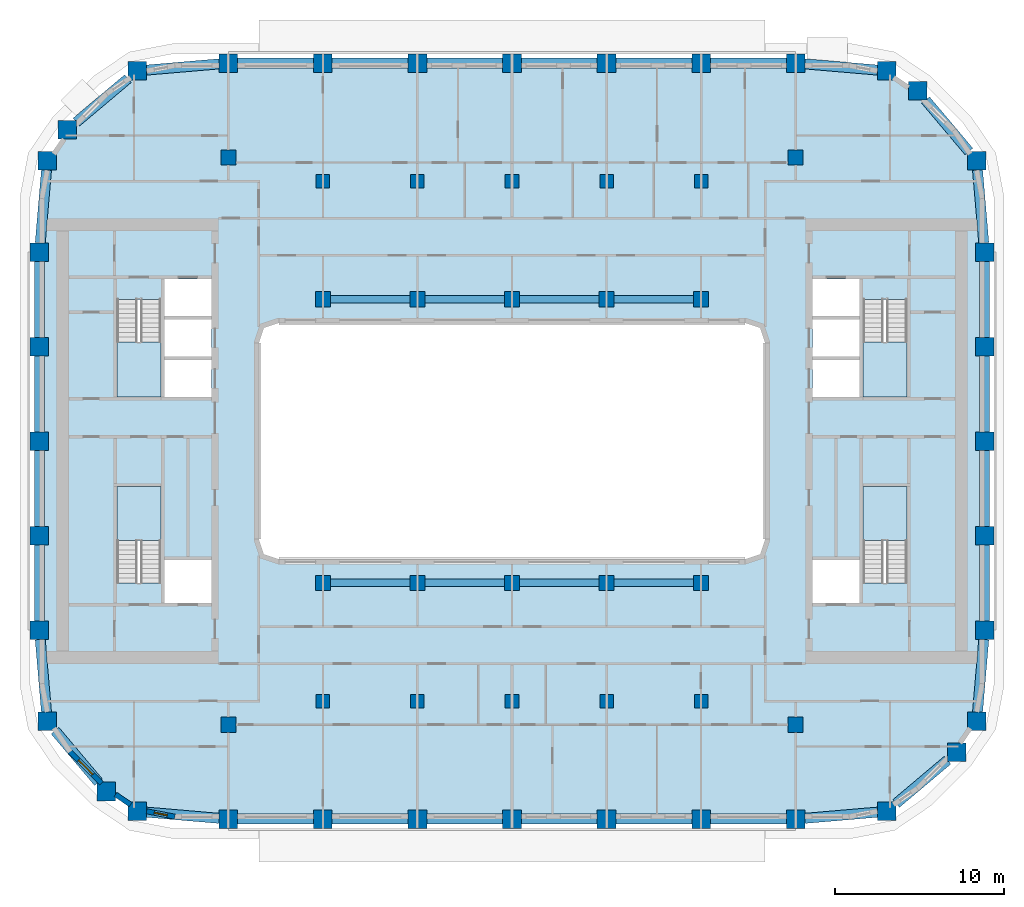
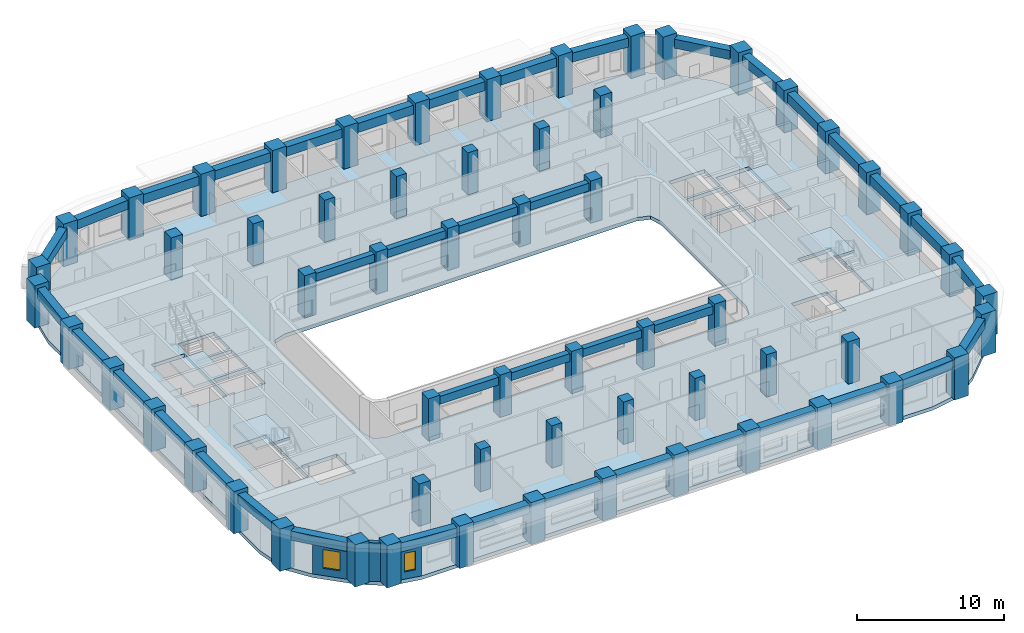
# One storey, part 1 of 22: 60 columns, 40 beams, 5 slabs, 3 walls, 2 windows, 2 openings, 4 elements without a shape of their own.
"""IFC4 building model written with IfcOpenShell, lengths in metres."""

from ifc_helpers import new_model, si_unit, direction, frame, frame_2d, origin, origin_2d, place, context, subcontext, project, spatial, polyline, rectangle, outline, extrude, material, layer, layer_set, material_profile, profile_set, type_object, element, fill, aggregate, save


model = new_model("IFC4")

# Units and contexts
model_context = context("Model", 3, precision=1e-05, world=origin(), true_north=direction((0.0, 1.0)))
body_context = subcontext(model_context, "Body", "Model", "MODEL_VIEW")
ifc_project = project(units=[si_unit("LENGTHUNIT", "METRE"), si_unit("AREAUNIT", "SQUARE_METRE"), si_unit("VOLUMEUNIT", "CUBIC_METRE"), si_unit("PLANEANGLEUNIT", "RADIAN"), si_unit("MASSUNIT", "GRAM", prefix="KILO")], contexts=[model_context])

# Site, building, storey
site_placement = place(None, origin())
site = spatial("IfcSite", under=ifc_project, at=site_placement, CompositionType="ELEMENT")
building_placement = place(site_placement, origin())
building = spatial("IfcBuilding", under=site, at=building_placement, Name="Kiln Ring Residences", CompositionType="ELEMENT")
storey_placement = place(building_placement, frame((0.0, 0.0, 143.10009765625)))
storey = spatial("IfcBuildingStorey", under=building, at=storey_placement, Name="L36", CompositionType="ELEMENT", Elevation=143.10009765625)

# Columns
ifc_material_1 = material(Name="Concrete C70/85", Category="concrete")
ifc_material_profile_1 = material_profile(ifc_material_1, rectangle(XDim=0.800048828125, YDim=0.800048828125, at=origin_2d()), Name="RC800x800")
ifc_profile_set_1 = profile_set([ifc_material_profile_1], Name="Concrete C70/85")
column_type_1 = type_object("IfcColumnType", Name="Corridor column RC800x800 C70/85", PredefinedType="COLUMN", material=ifc_profile_set_1)
for number, where, z_axis, x_axis, name in (
    (1, (-11.199951171875, 15.39990234375, 0.0), (0.0, 0.0, 1.0), (1.0, 0.0, 0.0), "Corridor column L36 1"),
    (2, (-5.60009765625, 15.39990234375, 0.0), (0.0, 0.0, 1.0), (1.0, 0.0, 0.0), "Corridor column L36 2"),
    (3, (0.0, 15.39990234375, 0.0), (0.0, 0.0, 1.0), (1.0, 0.0, 0.0), "Corridor column L36 3"),
    (4, (5.60009765625, 15.39990234375, 0.0), (0.0, 0.0, 1.0), (1.0, 0.0, 0.0), "Corridor column L36 4"),
    (5, (11.199951171875, 15.39990234375, 0.0), (0.0, 0.0, 1.0), (1.0, 0.0, 0.0), "Corridor column L36 5"),
    (6, (-11.199951171875, -15.39990234375, 0.0), (0.0, 0.0, 1.0), (1.0, 0.0, 0.0), "Corridor column L36 6"),
    (7, (-5.60009765625, -15.39990234375, 0.0), (0.0, 0.0, 1.0), (1.0, 0.0, 0.0), "Corridor column L36 7"),
    (8, (0.0, -15.39990234375, 0.0), (0.0, 0.0, 1.0), (1.0, 0.0, 0.0), "Corridor column L36 8"),
    (9, (5.60009765625, -15.39990234375, 0.0), (0.0, 0.0, 1.0), (1.0, 0.0, 0.0), "Corridor column L36 9"),
    (10, (11.199951171875, -15.39990234375, 0.0), (0.0, 0.0, 1.0), (1.0, 0.0, 0.0), "Corridor column L36 10"),
):
    element("IfcColumn", number, at=place(storey_placement, frame(where, z_axis=z_axis, x_axis=x_axis)), inside=storey, type_object=column_type_1, Name=name, PredefinedType="COLUMN", context=body_context, shape_type="SweptSolid", body=[
        extrude(rectangle(XDim=0.800048828125, YDim=0.800048828125, at=origin_2d()), origin(), (0.0, 0.0, 1.0), 3.5),
    ])
ifc_material_2 = material(Name="Concrete C70/85", Category="concrete")
ifc_material_profile_2 = material_profile(ifc_material_2, rectangle(XDim=1.10009765625, YDim=1.10009765625, at=origin_2d()), Name="RC1100x1100")
ifc_profile_set_2 = profile_set([ifc_material_profile_2], Name="Concrete C70/85")
column_type_2 = type_object("IfcColumnType", Name="Perimeter column RC1100x1100 C70/85", PredefinedType="COLUMN", material=ifc_profile_set_2)
for number, where, z_axis, x_axis, name in (
    (11, (-22.208740234375, -21.93798828125, 0.0), (0.0, 0.0, 1.0), (1.0, 0.0, 0.0), "Perimeter column L36 1"),
    (12, (-16.800048828125, -22.39990234375, 0.0), (0.0, 0.0, 1.0), (1.0, 0.0, 0.0), "Perimeter column L36 2"),
    (13, (-11.199951171875, -22.39990234375, 0.0), (0.0, 0.0, 1.0), (1.0, 0.0, 0.0), "Perimeter column L36 3"),
    (14, (-5.60009765625, -22.39990234375, 0.0), (0.0, 0.0, 1.0), (1.0, 0.0, 0.0), "Perimeter column L36 4"),
    (15, (0.0, -22.39990234375, 0.0), (0.0, 0.0, 1.0), (1.0, 0.0, 0.0), "Perimeter column L36 5"),
    (16, (5.60009765625, -22.39990234375, 0.0), (0.0, 0.0, 1.0), (1.0, 0.0, 0.0), "Perimeter column L36 6"),
    (17, (11.199951171875, -22.39990234375, 0.0), (0.0, 0.0, 1.0), (1.0, 0.0, 0.0), "Perimeter column L36 7"),
    (18, (16.800048828125, -22.39990234375, 0.0), (0.0, 0.0, 1.0), (1.0, 0.0, 0.0), "Perimeter column L36 8"),
    (19, (22.208740234375, -21.93798828125, 0.0), (0.0, 0.0, 1.0), (1.0, 0.0, 0.0), "Perimeter column L36 9"),
    (20, (26.35986328125, -18.440185546875, 0.0), (0.0, 0.0, 1.0), (1.0, 0.0, 0.0), "Perimeter column L36 10"),
    (21, (27.5380859375, -16.608642578125, 0.0), (0.0, 0.0, 1.0), (1.0, 0.0, 0.0), "Perimeter column L36 11"),
    (22, (28.0, -11.199951171875, 0.0), (0.0, 0.0, 1.0), (1.0, 0.0, 0.0), "Perimeter column L36 12"),
    (23, (28.0, -5.60009765625, 0.0), (0.0, 0.0, 1.0), (1.0, 0.0, 0.0), "Perimeter column L36 13"),
    (24, (28.0, 0.0, 0.0), (0.0, 0.0, 1.0), (1.0, 0.0, 0.0), "Perimeter column L36 14"),
    (25, (28.0, 5.60009765625, 0.0), (0.0, 0.0, 1.0), (1.0, 0.0, 0.0), "Perimeter column L36 15"),
    (26, (28.0, 11.199951171875, 0.0), (0.0, 0.0, 1.0), (1.0, 0.0, 0.0), "Perimeter column L36 16"),
    (27, (27.5380859375, 16.608642578125, 0.0), (0.0, 0.0, 1.0), (1.0, 0.0, 0.0), "Perimeter column L36 17"),
    (28, (24.040283203125, 20.759765625, 0.0), (0.0, 0.0, 1.0), (1.0, 0.0, 0.0), "Perimeter column L36 18"),
    (29, (22.208740234375, 21.93798828125, 0.0), (0.0, 0.0, 1.0), (1.0, 0.0, 0.0), "Perimeter column L36 19"),
    (30, (16.800048828125, 22.39990234375, 0.0), (0.0, 0.0, 1.0), (1.0, 0.0, 0.0), "Perimeter column L36 20"),
    (31, (11.199951171875, 22.39990234375, 0.0), (0.0, 0.0, 1.0), (1.0, 0.0, 0.0), "Perimeter column L36 21"),
    (32, (5.60009765625, 22.39990234375, 0.0), (0.0, 0.0, 1.0), (1.0, 0.0, 0.0), "Perimeter column L36 22"),
    (33, (0.0, 22.39990234375, 0.0), (0.0, 0.0, 1.0), (1.0, 0.0, 0.0), "Perimeter column L36 23"),
    (34, (-5.60009765625, 22.39990234375, 0.0), (0.0, 0.0, 1.0), (1.0, 0.0, 0.0), "Perimeter column L36 24"),
    (35, (-11.199951171875, 22.39990234375, 0.0), (0.0, 0.0, 1.0), (1.0, 0.0, 0.0), "Perimeter column L36 25"),
    (36, (-16.800048828125, 22.39990234375, 0.0), (0.0, 0.0, 1.0), (1.0, 0.0, 0.0), "Perimeter column L36 26"),
    (37, (-22.208740234375, 21.93798828125, 0.0), (0.0, 0.0, 1.0), (1.0, 0.0, 0.0), "Perimeter column L36 27"),
    (38, (-26.35986328125, 18.440185546875, 0.0), (0.0, 0.0, 1.0), (1.0, 0.0, 0.0), "Perimeter column L36 28"),
    (39, (-27.5380859375, 16.608642578125, 0.0), (0.0, 0.0, 1.0), (1.0, 0.0, 0.0), "Perimeter column L36 29"),
    (40, (-28.0, 11.199951171875, 0.0), (0.0, 0.0, 1.0), (1.0, 0.0, 0.0), "Perimeter column L36 30"),
    (41, (-28.0, 5.60009765625, 0.0), (0.0, 0.0, 1.0), (1.0, 0.0, 0.0), "Perimeter column L36 31"),
    (42, (-28.0, 0.0, 0.0), (0.0, 0.0, 1.0), (1.0, 0.0, 0.0), "Perimeter column L36 32"),
    (43, (-28.0, -5.60009765625, 0.0), (0.0, 0.0, 1.0), (1.0, 0.0, 0.0), "Perimeter column L36 33"),
    (44, (-28.0, -11.199951171875, 0.0), (0.0, 0.0, 1.0), (1.0, 0.0, 0.0), "Perimeter column L36 34"),
    (45, (-27.5380859375, -16.608642578125, 0.0), (0.0, 0.0, 1.0), (1.0, 0.0, 0.0), "Perimeter column L36 35"),
    (46, (-24.040283203125, -20.759765625, 0.0), (0.0, 0.0, 1.0), (1.0, 0.0, 0.0), "Perimeter column L36 36"),
):
    element("IfcColumn", number, at=place(storey_placement, frame(where, z_axis=z_axis, x_axis=x_axis)), inside=storey, type_object=column_type_2, Name=name, PredefinedType="COLUMN", context=body_context, shape_type="SweptSolid", body=[
        extrude(rectangle(XDim=1.10009765625, YDim=1.10009765625, at=origin_2d()), origin(), (0.0, 0.0, 1.0), 3.5),
    ])
ifc_material_3 = material(Name="Concrete C70/85", Category="concrete")
ifc_material_profile_3 = material_profile(ifc_material_3, rectangle(XDim=0.89990234375, YDim=0.89990234375, at=origin_2d()), Name="RC900x900")
ifc_profile_set_3 = profile_set([ifc_material_profile_3], Name="Concrete C70/85")
column_type_3 = type_object("IfcColumnType", Name="Ring column RC900x900 C70/85", PredefinedType="COLUMN", material=ifc_profile_set_3)
for number, where, z_axis, x_axis, name in (
    (47, (-16.800048828125, -16.800048828125, 0.0), (0.0, 0.0, 1.0), (1.0, 0.0, 0.0), "Ring column L36 1"),
    (48, (-16.800048828125, 16.800048828125, 0.0), (0.0, 0.0, 1.0), (1.0, 0.0, 0.0), "Ring column L36 2"),
    (49, (-11.199951171875, -8.39990234375, 0.0), (0.0, 0.0, 1.0), (1.0, 0.0, 0.0), "Ring column L36 3"),
    (50, (-11.199951171875, 8.39990234375, 0.0), (0.0, 0.0, 1.0), (1.0, 0.0, 0.0), "Ring column L36 4"),
    (51, (-5.60009765625, -8.39990234375, 0.0), (0.0, 0.0, 1.0), (1.0, 0.0, 0.0), "Ring column L36 5"),
    (52, (-5.60009765625, 8.39990234375, 0.0), (0.0, 0.0, 1.0), (1.0, 0.0, 0.0), "Ring column L36 6"),
    (53, (0.0, -8.39990234375, 0.0), (0.0, 0.0, 1.0), (1.0, 0.0, 0.0), "Ring column L36 7"),
    (54, (0.0, 8.39990234375, 0.0), (0.0, 0.0, 1.0), (1.0, 0.0, 0.0), "Ring column L36 8"),
    (55, (5.60009765625, -8.39990234375, 0.0), (0.0, 0.0, 1.0), (1.0, 0.0, 0.0), "Ring column L36 9"),
    (56, (5.60009765625, 8.39990234375, 0.0), (0.0, 0.0, 1.0), (1.0, 0.0, 0.0), "Ring column L36 10"),
    (57, (11.199951171875, -8.39990234375, 0.0), (0.0, 0.0, 1.0), (1.0, 0.0, 0.0), "Ring column L36 11"),
    (58, (11.199951171875, 8.39990234375, 0.0), (0.0, 0.0, 1.0), (1.0, 0.0, 0.0), "Ring column L36 12"),
    (59, (16.800048828125, -16.800048828125, 0.0), (0.0, 0.0, 1.0), (1.0, 0.0, 0.0), "Ring column L36 13"),
    (60, (16.800048828125, 16.800048828125, 0.0), (0.0, 0.0, 1.0), (1.0, 0.0, 0.0), "Ring column L36 14"),
):
    element("IfcColumn", number, at=place(storey_placement, frame(where, z_axis=z_axis, x_axis=x_axis)), inside=storey, type_object=column_type_3, Name=name, PredefinedType="COLUMN", context=body_context, shape_type="SweptSolid", body=[
        extrude(rectangle(XDim=0.89990234375, YDim=0.89990234375, at=origin_2d()), origin(), (0.0, 0.0, 1.0), 3.5),
    ])

# Beams
ifc_material_4 = material(Name="Concrete C50/60", Category="concrete")
ifc_material_profile_4 = material_profile(ifc_material_4, rectangle(XDim=0.449951171875, YDim=0.64990234375, at=origin_2d()), Name="RC450x650")
ifc_profile_set_4 = profile_set([ifc_material_profile_4], Name="Concrete C50/60")
beam_type_1 = type_object("IfcBeamType", Name="Ring beam RC450x650 C50/60", PredefinedType="BEAM", material=ifc_profile_set_4)
for number, where, z_axis, x_axis, name in (
    (61, (-10.75, -8.39990234375, 2.875), (1.0, 0.0, 0.0), (0.0, 1.0, 0.0), "Ring beam L36 1"),
    (62, (-5.14990234375, -8.39990234375, 2.875), (1.0, 0.0, 0.0), (0.0, 1.0, 0.0), "Ring beam L36 2"),
    (63, (0.449951171875, -8.39990234375, 2.875), (1.0, 0.0, 0.0), (0.0, 1.0, 0.0), "Ring beam L36 3"),
    (64, (6.050048828125, -8.39990234375, 2.875), (1.0, 0.0, 0.0), (0.0, 1.0, 0.0), "Ring beam L36 4"),
    (65, (-10.75, 8.39990234375, 2.875), (1.0, 0.0, 0.0), (0.0, 1.0, 0.0), "Ring beam L36 5"),
    (66, (-5.14990234375, 8.39990234375, 2.875), (1.0, 0.0, 0.0), (0.0, 1.0, 0.0), "Ring beam L36 6"),
    (67, (0.449951171875, 8.39990234375, 2.875), (1.0, 0.0, 0.0), (0.0, 1.0, 0.0), "Ring beam L36 7"),
    (68, (6.050048828125, 8.39990234375, 2.875), (1.0, 0.0, 0.0), (0.0, 1.0, 0.0), "Ring beam L36 8"),
):
    element("IfcBeam", number, at=place(storey_placement, frame(where, z_axis=z_axis, x_axis=x_axis)), inside=storey, type_object=beam_type_1, Name=name, PredefinedType="BEAM", context=body_context, shape_type="SweptSolid", body=[
        extrude(rectangle(XDim=0.449951171875, YDim=0.64990234375, at=origin_2d()), origin(), (0.0, 0.0, 1.0), 4.699951171875),
    ])
ifc_material_5 = material(Name="Concrete C50/60", Category="concrete")
ifc_material_profile_5 = material_profile(ifc_material_5, rectangle(XDim=0.60009765625, YDim=0.75, at=origin_2d()), Name="RC600x750")
ifc_profile_set_5 = profile_set([ifc_material_profile_5], Name="Concrete C50/60")
beam_type_2 = type_object("IfcBeamType", Name="Spandrel beam RC600x750 C50/60", PredefinedType="SPANDREL", material=ifc_profile_set_5)
beam_1_placement = place(storey_placement, frame((-21.65869140625, -21.985107421875, 2.824951171875), z_axis=(0.996373912127, -0.085082473117, 0.0), x_axis=(0.085082473117, 0.996373912127, 0.0)))
element("IfcBeam", 69, at=beam_1_placement, inside=storey, type_object=beam_type_2, Name="Spandrel beam L36 1", PredefinedType="SPANDREL", context=body_context, shape_type="SweptSolid", body=[
    extrude(rectangle(XDim=0.60009765625, YDim=0.75, at=origin_2d()), origin(), (0.0, 0.0, 1.0), 4.32421875),
])
for number, where, z_axis, x_axis, name in (
    (70, (-16.25, -22.39990234375, 2.824951171875), (1.0, 0.0, 0.0), (0.0, 1.0, 0.0), "Spandrel beam L36 2"),
    (71, (-10.64990234375, -22.39990234375, 2.824951171875), (1.0, 0.0, 0.0), (0.0, 1.0, 0.0), "Spandrel beam L36 3"),
    (72, (-5.050048828125, -22.39990234375, 2.824951171875), (1.0, 0.0, 0.0), (0.0, 1.0, 0.0), "Spandrel beam L36 4"),
    (73, (0.550048828125, -22.39990234375, 2.824951171875), (1.0, 0.0, 0.0), (0.0, 1.0, 0.0), "Spandrel beam L36 5"),
    (74, (6.14990234375, -22.39990234375, 2.824951171875), (1.0, 0.0, 0.0), (0.0, 1.0, 0.0), "Spandrel beam L36 6"),
    (75, (11.75, -22.39990234375, 2.824951171875), (1.0, 0.0, 0.0), (0.0, 1.0, 0.0), "Spandrel beam L36 7"),
):
    element("IfcBeam", number, at=place(storey_placement, frame(where, z_axis=z_axis, x_axis=x_axis)), inside=storey, type_object=beam_type_2, Name=name, PredefinedType="SPANDREL", context=body_context, shape_type="SweptSolid", body=[
        extrude(rectangle(XDim=0.60009765625, YDim=0.75, at=origin_2d()), origin(), (0.0, 0.0, 1.0), 4.5),
    ])
beam_2_placement = place(storey_placement, frame((17.35009765625, -22.35302734375, 2.824951171875), z_axis=(0.996373912127, 0.085082473117, 0.0), x_axis=(-0.085082473117, 0.996373912127, 0.0)))
element("IfcBeam", 76, at=beam_2_placement, inside=storey, type_object=beam_type_2, Name="Spandrel beam L36 8", PredefinedType="SPANDREL", context=body_context, shape_type="SweptSolid", body=[
    extrude(rectangle(XDim=0.60009765625, YDim=0.75, at=origin_2d()), origin(), (0.0, 0.0, 1.0), 4.32421875),
])
beam_3_placement = place(storey_placement, frame((22.7587890625, -21.474609375, 2.824951171875), z_axis=(0.764693765756, 0.6443938583, 0.0), x_axis=(-0.6443938583, 0.764693765756, 0.0)))
element("IfcBeam", 77, at=beam_3_placement, inside=storey, type_object=beam_type_2, Name="Spandrel beam L36 9", PredefinedType="SPANDREL", context=body_context, shape_type="SweptSolid", body=[
    extrude(rectangle(XDim=0.60009765625, YDim=0.75, at=origin_2d()), origin(), (0.0, 0.0, 1.0), 3.98974609375),
])
beam_4_placement = place(storey_placement, frame((27.5849609375, -16.05859375, 2.824951171875), z_axis=(0.085138522188, 0.996369124391, 0.0), x_axis=(-0.996369124391, 0.085138522188, 0.0)))
element("IfcBeam", 78, at=beam_4_placement, inside=storey, type_object=beam_type_2, Name="Spandrel beam L36 10", PredefinedType="SPANDREL", context=body_context, shape_type="SweptSolid", body=[
    extrude(rectangle(XDim=0.60009765625, YDim=0.75, at=origin_2d()), origin(), (0.0, 0.0, 1.0), 4.32421875),
])
for number, where, z_axis, x_axis, name in (
    (79, (28.0, -10.64990234375, 2.824951171875), (0.0, 1.0, 0.0), (-1.0, 0.0, 0.0), "Spandrel beam L36 11"),
    (80, (28.0, -5.050048828125, 2.824951171875), (0.0, 1.0, 0.0), (-1.0, 0.0, 0.0), "Spandrel beam L36 12"),
    (81, (28.0, 0.550048828125, 2.824951171875), (0.0, 1.0, 0.0), (-1.0, 0.0, 0.0), "Spandrel beam L36 13"),
    (82, (28.0, 6.14990234375, 2.824951171875), (0.0, 1.0, 0.0), (-1.0, 0.0, 0.0), "Spandrel beam L36 14"),
):
    element("IfcBeam", number, at=place(storey_placement, frame(where, z_axis=z_axis, x_axis=x_axis)), inside=storey, type_object=beam_type_2, Name=name, PredefinedType="SPANDREL", context=body_context, shape_type="SweptSolid", body=[
        extrude(rectangle(XDim=0.60009765625, YDim=0.75, at=origin_2d()), origin(), (0.0, 0.0, 1.0), 4.5),
    ])
beam_5_placement = place(storey_placement, frame((27.953125, 11.75, 2.824951171875), z_axis=(-0.085138522188, 0.996369124391, 0.0), x_axis=(-0.996369124391, -0.085138522188, 0.0)))
element("IfcBeam", 83, at=beam_5_placement, inside=storey, type_object=beam_type_2, Name="Spandrel beam L36 15", PredefinedType="SPANDREL", context=body_context, shape_type="SweptSolid", body=[
    extrude(rectangle(XDim=0.60009765625, YDim=0.75, at=origin_2d()), origin(), (0.0, 0.0, 1.0), 4.32421875),
])
beam_6_placement = place(storey_placement, frame((27.07470703125, 17.15869140625, 2.824951171875), z_axis=(-0.6443938583, 0.764693765756, 0.0), x_axis=(-0.764693765756, -0.6443938583, 0.0)))
element("IfcBeam", 84, at=beam_6_placement, inside=storey, type_object=beam_type_2, Name="Spandrel beam L36 16", PredefinedType="SPANDREL", context=body_context, shape_type="SweptSolid", body=[
    extrude(rectangle(XDim=0.60009765625, YDim=0.75, at=origin_2d()), origin(), (0.0, 0.0, 1.0), 3.98974609375),
])
beam_7_placement = place(storey_placement, frame((21.65869140625, 21.985107421875, 2.824951171875), z_axis=(-0.996373912127, 0.085082473117, 0.0), x_axis=(-0.085082473117, -0.996373912127, 0.0)))
element("IfcBeam", 85, at=beam_7_placement, inside=storey, type_object=beam_type_2, Name="Spandrel beam L36 17", PredefinedType="SPANDREL", context=body_context, shape_type="SweptSolid", body=[
    extrude(rectangle(XDim=0.60009765625, YDim=0.75, at=origin_2d()), origin(), (0.0, 0.0, 1.0), 4.32421875),
])
for number, where, z_axis, x_axis, name in (
    (86, (16.25, 22.39990234375, 2.824951171875), (-1.0, 0.0, 0.0), (0.0, -1.0, 0.0), "Spandrel beam L36 18"),
    (87, (10.64990234375, 22.39990234375, 2.824951171875), (-1.0, 0.0, 0.0), (0.0, -1.0, 0.0), "Spandrel beam L36 19"),
    (88, (5.050048828125, 22.39990234375, 2.824951171875), (-1.0, 0.0, 0.0), (0.0, -1.0, 0.0), "Spandrel beam L36 20"),
    (89, (-0.550048828125, 22.39990234375, 2.824951171875), (-1.0, 0.0, 0.0), (0.0, -1.0, 0.0), "Spandrel beam L36 21"),
    (90, (-6.14990234375, 22.39990234375, 2.824951171875), (-1.0, 0.0, 0.0), (0.0, -1.0, 0.0), "Spandrel beam L36 22"),
    (91, (-11.75, 22.39990234375, 2.824951171875), (-1.0, 0.0, 0.0), (0.0, -1.0, 0.0), "Spandrel beam L36 23"),
):
    element("IfcBeam", number, at=place(storey_placement, frame(where, z_axis=z_axis, x_axis=x_axis)), inside=storey, type_object=beam_type_2, Name=name, PredefinedType="SPANDREL", context=body_context, shape_type="SweptSolid", body=[
        extrude(rectangle(XDim=0.60009765625, YDim=0.75, at=origin_2d()), origin(), (0.0, 0.0, 1.0), 4.5),
    ])
beam_8_placement = place(storey_placement, frame((-17.35009765625, 22.35302734375, 2.824951171875), z_axis=(-0.996373912127, -0.085082473117, 0.0), x_axis=(0.085082473117, -0.996373912127, 0.0)))
element("IfcBeam", 92, at=beam_8_placement, inside=storey, type_object=beam_type_2, Name="Spandrel beam L36 24", PredefinedType="SPANDREL", context=body_context, shape_type="SweptSolid", body=[
    extrude(rectangle(XDim=0.60009765625, YDim=0.75, at=origin_2d()), origin(), (0.0, 0.0, 1.0), 4.32421875),
])
beam_9_placement = place(storey_placement, frame((-22.7587890625, 21.474609375, 2.824951171875), z_axis=(-0.764693765756, -0.6443938583, 0.0), x_axis=(0.6443938583, -0.764693765756, 0.0)))
element("IfcBeam", 93, at=beam_9_placement, inside=storey, type_object=beam_type_2, Name="Spandrel beam L36 25", PredefinedType="SPANDREL", context=body_context, shape_type="SweptSolid", body=[
    extrude(rectangle(XDim=0.60009765625, YDim=0.75, at=origin_2d()), origin(), (0.0, 0.0, 1.0), 3.98974609375),
])
beam_10_placement = place(storey_placement, frame((-27.5849609375, 16.05859375, 2.824951171875), z_axis=(-0.085138522188, -0.996369124391, 0.0), x_axis=(0.996369124391, -0.085138522188, 0.0)))
element("IfcBeam", 94, at=beam_10_placement, inside=storey, type_object=beam_type_2, Name="Spandrel beam L36 26", PredefinedType="SPANDREL", context=body_context, shape_type="SweptSolid", body=[
    extrude(rectangle(XDim=0.60009765625, YDim=0.75, at=origin_2d()), origin(), (0.0, 0.0, 1.0), 4.32421875),
])
for number, where, z_axis, x_axis, name in (
    (95, (-28.0, 10.64990234375, 2.824951171875), (0.0, -1.0, 0.0), (1.0, 0.0, 0.0), "Spandrel beam L36 27"),
    (96, (-28.0, 5.050048828125, 2.824951171875), (0.0, -1.0, 0.0), (1.0, 0.0, 0.0), "Spandrel beam L36 28"),
    (97, (-28.0, -0.550048828125, 2.824951171875), (0.0, -1.0, 0.0), (1.0, 0.0, 0.0), "Spandrel beam L36 29"),
    (98, (-28.0, -6.14990234375, 2.824951171875), (0.0, -1.0, 0.0), (1.0, 0.0, 0.0), "Spandrel beam L36 30"),
):
    element("IfcBeam", number, at=place(storey_placement, frame(where, z_axis=z_axis, x_axis=x_axis)), inside=storey, type_object=beam_type_2, Name=name, PredefinedType="SPANDREL", context=body_context, shape_type="SweptSolid", body=[
        extrude(rectangle(XDim=0.60009765625, YDim=0.75, at=origin_2d()), origin(), (0.0, 0.0, 1.0), 4.5),
    ])
beam_11_placement = place(storey_placement, frame((-27.953125, -11.75, 2.824951171875), z_axis=(0.085138522188, -0.996369124391, 0.0), x_axis=(0.996369124391, 0.085138522188, 0.0)))
element("IfcBeam", 99, at=beam_11_placement, inside=storey, type_object=beam_type_2, Name="Spandrel beam L36 31", PredefinedType="SPANDREL", context=body_context, shape_type="SweptSolid", body=[
    extrude(rectangle(XDim=0.60009765625, YDim=0.75, at=origin_2d()), origin(), (0.0, 0.0, 1.0), 4.32421875),
])
beam_12_placement = place(storey_placement, frame((-27.07470703125, -17.15869140625, 2.824951171875), z_axis=(0.6443938583, -0.764693765756, 0.0), x_axis=(0.764693765756, 0.6443938583, 0.0)))
element("IfcBeam", 100, at=beam_12_placement, inside=storey, type_object=beam_type_2, Name="Spandrel beam L36 32", PredefinedType="SPANDREL", context=body_context, shape_type="SweptSolid", body=[
    extrude(rectangle(XDim=0.60009765625, YDim=0.75, at=origin_2d()), origin(), (0.0, 0.0, 1.0), 3.98974609375),
])

# Stair, slab
ifc_material_6 = material(Name="Concrete C40/50", Category="concrete")
stair_type = type_object("IfcStairType", Name="CORE-STAIR", PredefinedType="HALF_TURN_STAIR", material=ifc_material_6)
placement_1 = place(storey_placement, origin())
stair_1 = element("IfcStair", 101, at=placement_1, inside=storey, type_object=stair_type, Name="L36 stair W-STN", PredefinedType="HALF_TURN_STAIR")
ifc_material_7 = material(Name="Concrete C40/50", Category="concrete")
ifc_layer_1 = layer(ifc_material_7, 0.199951171875)
ifc_layer_set_1 = layer_set([ifc_layer_1], Name="CORE-STAIR-LANDING")
slab_type_1 = type_object("IfcSlabType", Name="CORE-STAIR-LANDING", PredefinedType="LANDING", material=ifc_layer_set_1)
placement_2 = place(storey_placement, frame((0.0, 0.0, 1.5498046875)))
slab_1 = element("IfcSlab", 102, at=placement_2, type_object=slab_type_1, Name="W-STN landing 1", PredefinedType="LANDING", context=body_context, shape_type="SweptSolid", body=[
    extrude(outline(polyline([(-23.39990234375, 5.8798828125), (-23.39990234375, 2.60009765625), (-20.800048828125, 2.60009765625), (-20.800048828125, 5.8798828125), (-23.39990234375, 5.8798828125)])), origin(), (0.0, 0.0, 1.0), 0.2001953125),
])
aggregate(stair_1, [slab_1])

stair_2 = element("IfcStair", 103, at=placement_1, inside=storey, type_object=stair_type, Name="L36 stair W-STS", PredefinedType="HALF_TURN_STAIR")
slab_2 = element("IfcSlab", 104, at=placement_2, type_object=slab_type_1, Name="W-STS landing 1", PredefinedType="LANDING", context=body_context, shape_type="SweptSolid", body=[
    extrude(outline(polyline([(-20.800048828125, -5.8798828125), (-20.800048828125, -2.699951171875), (-23.39990234375, -2.699951171875), (-23.39990234375, -5.8798828125), (-20.800048828125, -5.8798828125)])), origin(), (0.0, 0.0, 1.0), 0.2001953125),
])
aggregate(stair_2, [slab_2])

stair_3 = element("IfcStair", 105, at=placement_1, inside=storey, type_object=stair_type, Name="L36 stair E-STN", PredefinedType="HALF_TURN_STAIR")
slab_3 = element("IfcSlab", 106, at=placement_2, type_object=slab_type_1, Name="E-STN landing 1", PredefinedType="LANDING", context=body_context, shape_type="SweptSolid", body=[
    extrude(outline(polyline([(20.800048828125, 5.8798828125), (20.800048828125, 2.60009765625), (23.39990234375, 2.60009765625), (23.39990234375, 5.8798828125), (20.800048828125, 5.8798828125)])), origin(), (0.0, 0.0, 1.0), 0.2001953125),
])
aggregate(stair_3, [slab_3])

stair_4 = element("IfcStair", 107, at=placement_1, inside=storey, type_object=stair_type, Name="L36 stair E-STS", PredefinedType="HALF_TURN_STAIR")
slab_4 = element("IfcSlab", 108, at=placement_2, type_object=slab_type_1, Name="E-STS landing 1", PredefinedType="LANDING", context=body_context, shape_type="SweptSolid", body=[
    extrude(outline(polyline([(23.39990234375, -5.8798828125), (23.39990234375, -2.699951171875), (20.800048828125, -2.699951171875), (20.800048828125, -5.8798828125), (23.39990234375, -5.8798828125)])), origin(), (0.0, 0.0, 1.0), 0.2001953125),
])
aggregate(stair_4, [slab_4])

# Slab
ifc_material_8 = material(Name="Concrete C40/50", Category="concrete")
ifc_layer_2 = layer(ifc_material_8, 0.300048828125)
ifc_layer_set_2 = layer_set([ifc_layer_2], Name="Floor slab 300")
slab_type_2 = type_object("IfcSlabType", Name="Floor slab 300", PredefinedType="FLOOR", material=ifc_layer_set_2)
slab_5_placement = place(storey_placement, frame((0.0, 0.0, -0.300048828125)))
element("IfcSlab", 109, at=slab_5_placement, inside=storey, type_object=slab_type_2, Name="Floor slab L36 1", PredefinedType="FLOOR", context=body_context, shape_type="SweptSolid", body=[
    extrude(outline(polyline([(-26.302978515625, -18.4970703125), (-24.09716796875, -20.702880859375), (-22.224365234375, -21.975830078125), (-20.0, -22.39990234375), (20.0, -22.39990234375), (22.224365234375, -21.975830078125), (24.09716796875, -20.702880859375), (26.302978515625, -18.4970703125), (27.57568359375, -16.624267578125), (28.0, -14.39990234375), (28.0, 14.39990234375), (27.57568359375, 16.624267578125), (26.302978515625, 18.4970703125), (24.09716796875, 20.702880859375), (22.224365234375, 21.975830078125), (20.0, 22.39990234375), (-20.0, 22.39990234375), (-22.224365234375, 21.975830078125), (-24.09716796875, 20.702880859375), (-26.302978515625, 18.4970703125), (-27.57568359375, 16.624267578125), (-28.0, 14.39990234375), (-28.0, -14.39990234375), (-27.57568359375, -16.624267578125), (-26.302978515625, -18.4970703125)]), holes=[polyline([(-14.699951171875, -6.699951171875), (-15.0, -5.800048828125), (-15.0, 5.800048828125), (-14.699951171875, 6.699951171875), (-13.800048828125, 7.0), (13.800048828125, 7.0), (14.699951171875, 6.699951171875), (15.0, 5.800048828125), (15.0, -5.800048828125), (14.699951171875, -6.699951171875), (13.800048828125, -7.0), (-13.800048828125, -7.0), (-14.699951171875, -6.699951171875)]), polyline([(20.800048828125, -8.39794921875), (20.800048828125, -2.699951171875), (23.39990234375, -2.699951171875), (23.39990234375, -8.39794921875), (20.800048828125, -8.39794921875)]), polyline([(23.39990234375, 2.60009765625), (20.800048828125, 2.60009765625), (20.800048828125, 8.39794921875), (23.39990234375, 8.39794921875), (23.39990234375, 2.60009765625)]), polyline([(17.800048828125, 2.60009765625), (17.800048828125, 4.800048828125), (20.60009765625, 4.800048828125), (20.60009765625, 2.60009765625), (17.800048828125, 2.60009765625)]), polyline([(17.800048828125, 5.0), (17.800048828125, 7.199951171875), (20.60009765625, 7.199951171875), (20.60009765625, 5.0), (17.800048828125, 5.0)]), polyline([(17.800048828125, 7.39990234375), (17.800048828125, 9.60009765625), (20.60009765625, 9.60009765625), (20.60009765625, 7.39990234375), (17.800048828125, 7.39990234375)]), polyline([(20.60009765625, -9.60009765625), (17.800048828125, -9.60009765625), (17.800048828125, -7.050048828125), (20.60009765625, -7.050048828125), (20.60009765625, -9.60009765625)]), polyline([(-17.800048828125, -7.050048828125), (-17.800048828125, -9.60009765625), (-20.60009765625, -9.60009765625), (-20.60009765625, -7.050048828125), (-17.800048828125, -7.050048828125)]), polyline([(-17.800048828125, 2.60009765625), (-20.60009765625, 2.60009765625), (-20.60009765625, 4.800048828125), (-17.800048828125, 4.800048828125), (-17.800048828125, 2.60009765625)]), polyline([(-17.800048828125, 5.0), (-20.60009765625, 5.0), (-20.60009765625, 7.199951171875), (-17.800048828125, 7.199951171875), (-17.800048828125, 5.0)]), polyline([(-17.800048828125, 7.39990234375), (-20.60009765625, 7.39990234375), (-20.60009765625, 9.60009765625), (-17.800048828125, 9.60009765625), (-17.800048828125, 7.39990234375)]), polyline([(-20.800048828125, -8.39794921875), (-23.39990234375, -8.39794921875), (-23.39990234375, -2.699951171875), (-20.800048828125, -2.699951171875), (-20.800048828125, -8.39794921875)]), polyline([(-20.800048828125, 8.39794921875), (-20.800048828125, 2.60009765625), (-23.39990234375, 2.60009765625), (-23.39990234375, 8.39794921875), (-20.800048828125, 8.39794921875)])]), origin(), (0.0, 0.0, 1.0), 0.300048828125),
])

# Wall, opening, window
ifc_material_9 = material(Name="Brick masonry, dark clay brick", Category="masonry")
ifc_layer_3 = layer(ifc_material_9, 0.300048828125)
ifc_layer_set_3 = layer_set([ifc_layer_3], Name="EW-300 BRICK WALL")
wall_type = type_object("IfcWallType", Name="EW-300 BRICK WALL", PredefinedType="SOLIDWALL", material=ifc_layer_set_3)
wall_1_placement = place(storey_placement, frame((-26.19677734375, -18.390869140625, 0.0), z_axis=(0.0, 0.0, 1.0), x_axis=(0.707060717099, -0.707152842274, 0.0)))
wall_1 = element("IfcWall", 110, at=wall_1_placement, inside=storey, type_object=wall_type, Name="Facade wall L36 1", PredefinedType="SOLIDWALL", context=body_context, shape_type="SweptSolid", body=[
    extrude(rectangle(XDim=2.650146484375, YDim=0.300048828125, at=frame_2d((1.3251953125, 0.0))), origin(), (0.0, 0.0, 1.0), 2.449951171875),
])
opening_1_placement = place(wall_1_placement, frame((0.72509765625, 0.0, 0.60009765625)))
opening_1 = element("IfcOpeningElement", 111, at=opening_1_placement, cuts=wall_1, Name="Opening W1", PredefinedType="OPENING", context=body_context, shape_type="SweptSolid", body=[
    extrude(rectangle(XDim=1.199951171875, YDim=1.550048828125, at=frame_2d((0.60009765625, 0.77490234375))), frame((0.0, 0.159912109375, 0.0), z_axis=(0.0, -1.0, 0.0), x_axis=(1.0, 0.0, 0.0)), (0.0, 0.0, 1.0), 0.320068359375),
])
ifc_material_10 = material(Name="Aluminium frame with double glazing", Category="aluminium")
window_type_1 = type_object("IfcWindowType", Name="WINDOW 1200 x 1550", PartitioningType="SINGLE_PANEL", PredefinedType="WINDOW", material=ifc_material_10)
window_1_placement = place(opening_1_placement, origin())
window_1 = element("IfcWindow", 112, at=window_1_placement, inside=storey, type_object=window_type_1, Name="Window L36 1", OverallHeight=1.550048828125, OverallWidth=1.199951171875, PartitioningType="SINGLE_PANEL", PredefinedType="WINDOW", context=body_context, shape_type="SweptSolid", body=[
    extrude(rectangle(XDim=1.199951171875, YDim=1.550048828125, at=frame_2d((0.60009765625, 0.77490234375))), frame((0.0, 0.030029296875, 0.0), z_axis=(0.0, -1.0, 0.0), x_axis=(1.0, 0.0, 0.0)), (0.0, 0.0, 1.0), 0.06005859375),
])
fill(opening_1, window_1)

# Wall
wall_2_placement = place(storey_placement, frame((-23.492431640625, -20.932373046875, 0.0), z_axis=(0.0, 0.0, 1.0), x_axis=(0.826993959827, -0.562210806023, 0.0)))
element("IfcWall", 113, at=wall_2_placement, inside=storey, type_object=wall_type, Name="Facade wall L36 2", PredefinedType="SOLIDWALL", context=body_context, shape_type="SweptSolid", body=[
    extrude(rectangle(XDim=1.076904296875, YDim=0.300048828125, at=frame_2d((0.53857421875, 0.0))), origin(), (0.0, 0.0, 1.0), 3.199951171875),
])

# Wall, opening, window
wall_3_placement = place(storey_placement, frame((-21.647705078125, -21.93310546875, 0.0), z_axis=(0.0, 0.0, 1.0), x_axis=(0.982297206936, -0.187329114784, 0.0)))
wall_3 = element("IfcWall", 114, at=wall_3_placement, inside=storey, type_object=wall_type, Name="Facade wall L36 3", PredefinedType="SOLIDWALL", context=body_context, shape_type="SweptSolid", body=[
    extrude(rectangle(XDim=1.7060546875, YDim=0.300048828125, at=frame_2d((0.85302734375, 0.0))), origin(), (0.0, 0.0, 1.0), 2.449951171875),
])
opening_2_placement = place(wall_3_placement, frame((0.453125, 0.0, 0.60009765625)))
opening_2 = element("IfcOpeningElement", 115, at=opening_2_placement, cuts=wall_3, Name="Opening W5", PredefinedType="OPENING", context=body_context, shape_type="SweptSolid", body=[
    extrude(rectangle(XDim=0.800048828125, YDim=1.550048828125, at=frame_2d((0.39990234375, 0.77490234375))), frame((0.0, 0.159912109375, 0.0), z_axis=(0.0, -1.0, 0.0), x_axis=(1.0, 0.0, 0.0)), (0.0, 0.0, 1.0), 0.320068359375),
])
ifc_material_11 = material(Name="Aluminium frame with double glazing", Category="aluminium")
window_type_2 = type_object("IfcWindowType", Name="WINDOW 800 x 1550", PartitioningType="SINGLE_PANEL", PredefinedType="WINDOW", material=ifc_material_11)
window_2_placement = place(opening_2_placement, origin())
window_2 = element("IfcWindow", 116, at=window_2_placement, inside=storey, type_object=window_type_2, Name="Window L36 2", OverallHeight=1.550048828125, OverallWidth=0.800048828125, PartitioningType="SINGLE_PANEL", PredefinedType="WINDOW", context=body_context, shape_type="SweptSolid", body=[
    extrude(rectangle(XDim=0.800048828125, YDim=1.550048828125, at=frame_2d((0.39990234375, 0.77490234375))), frame((0.0, 0.030029296875, 0.0), z_axis=(0.0, -1.0, 0.0), x_axis=(1.0, 0.0, 0.0)), (0.0, 0.0, 1.0), 0.06005859375),
])
fill(opening_2, window_2)

save(model, "model.ifc")
